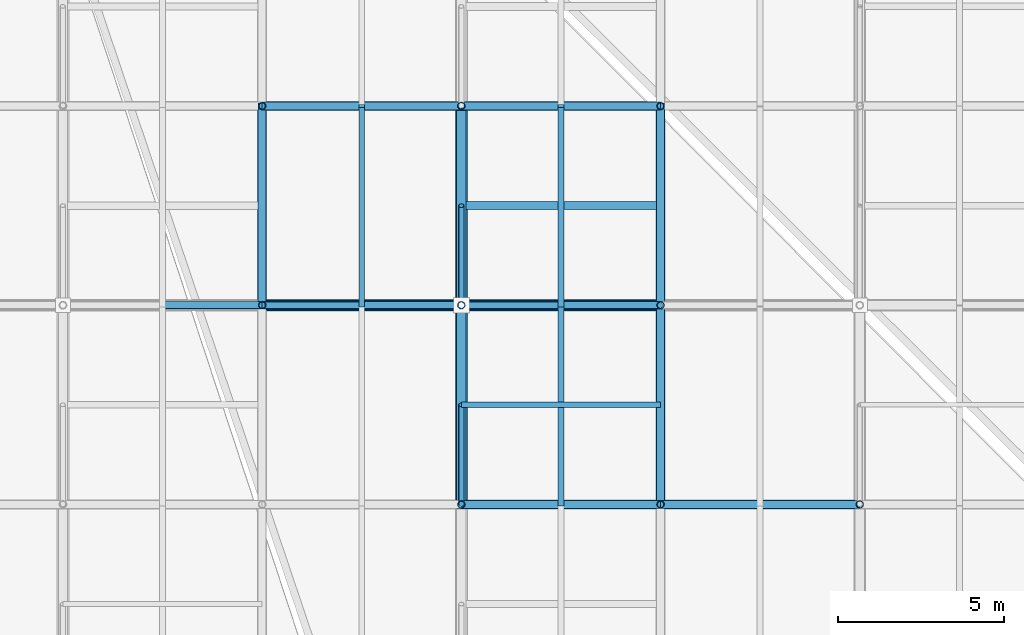
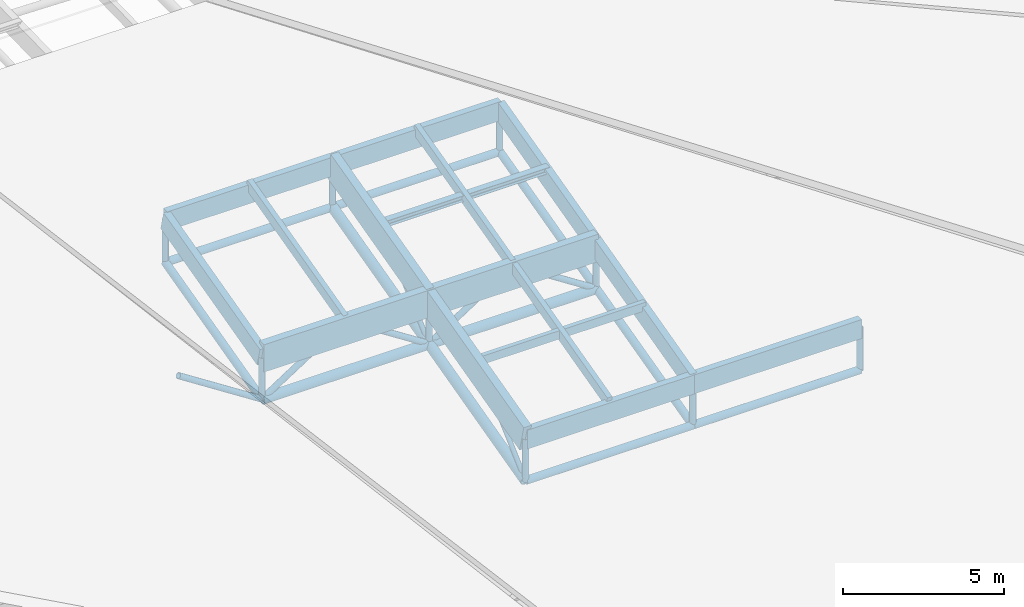
# One storey, part 28 of 80: 43 members.
"""IFC4 building model written with IfcOpenShell, lengths in metres."""

from ifc_helpers import new_model, si_unit, direction, frame, origin, origin_2d, place, context, subcontext, project, spatial, rectangle, hollow_circle, i_section, extrude, material, material_profile, profile_set, type_object, element, save


model = new_model("IFC4")

# Units and contexts
model_context = context("Model", 3, precision=1e-05, world=origin(), true_north=direction((0.0, 1.0)))
body_context = subcontext(model_context, "Body", "Model", "MODEL_VIEW")
ifc_project = project(units=[si_unit("LENGTHUNIT", "METRE"), si_unit("AREAUNIT", "SQUARE_METRE"), si_unit("VOLUMEUNIT", "CUBIC_METRE"), si_unit("PLANEANGLEUNIT", "RADIAN"), si_unit("MASSUNIT", "GRAM", prefix="KILO"), si_unit("THERMODYNAMICTEMPERATUREUNIT", "KELVIN"), si_unit("POWERUNIT", "WATT")], contexts=[model_context])

# Site, building, storey
site_placement = place(None, origin())
site = spatial("IfcSite", under=ifc_project, at=site_placement, CompositionType="ELEMENT")
building_placement = place(site_placement, origin())
building = spatial("IfcBuilding", under=site, at=building_placement, Name="Solmara Park Aquatics Centre", CompositionType="ELEMENT")
storey_placement = place(building_placement, frame((0.0, 0.0, 22.800048828125)))
storey = spatial("IfcBuildingStorey", under=building, at=storey_placement, Name="RF", CompositionType="ELEMENT", Elevation=22.800048828125)

# Members
ifc_material_1 = material(Name="Structural Steel S355", Category="steel")
ifc_material_profile_1 = material_profile(ifc_material_1, hollow_circle(Radius=0.084228515625, WallThickness=0.008056640625, at=origin_2d()), Name="CHS 168.3x8")
ifc_profile_set_1 = profile_set([ifc_material_profile_1], Name="Structural Steel S355")
member_type_1 = type_object("IfcMemberType", Name="STR-BRC-CHS168", PredefinedType="BRACE", material=ifc_profile_set_1)
for number, where, z_axis, x_axis, name in (
    (1, (72.60009765625, 18.60009765625, -9.58984375), (0.0, 0.736437262703, 0.67650584484), (-1.0, 0.0, 0.0), "Roof Truss Web Diagonal Y 1921"),
    (2, (72.60009765625, 24.60009765625, -8.0380859375), (0.0, 0.736437262703, 0.67650584484), (-1.0, 0.0, 0.0), "Roof Truss Web Diagonal Y 1945"),
):
    element("IfcMember", number, at=place(storey_placement, frame(where, z_axis=z_axis, x_axis=x_axis)), inside=storey, type_object=member_type_1, Name=name, PredefinedType="BRACE", context=body_context, shape_type="SweptSolid", body=[
        extrude(hollow_circle(Radius=0.084228515625, WallThickness=0.008056640625, at=origin_2d()), origin(), (0.0, 0.0, 1.0), 4.07373046875),
    ])
ifc_material_profile_2 = material_profile(ifc_material_1, hollow_circle(Radius=0.109619140625, WallThickness=0.010009765625, at=origin_2d()), Name="CHS 219.1x10")
ifc_profile_set_2 = profile_set([ifc_material_profile_2], Name="Structural Steel S355")
member_type_2 = type_object("IfcMemberType", Name="STR-BRC-CHS219", PredefinedType="BRACE", material=ifc_profile_set_2)
for number, where, z_axis, x_axis, name in (
    (3, (66.60009765625, 24.60009765625, -8.0380859375), (-0.83972779743, 0.0, 0.543007574738), (0.0, -1.0, 0.0), "Roof Truss Web Diagonal X 1642"),
    (4, (66.60009765625, 24.60009765625, -8.0380859375), (0.83972779743, 0.0, 0.543007574738), (0.0, 1.0, 0.0), "Roof Truss Web Diagonal X 1671"),
    (5, (72.60009765625, 24.60009765625, -8.0380859375), (-0.83972779743, 0.0, 0.543007574738), (0.0, -1.0, 0.0), "Roof Truss Web Diagonal X 1672"),
    (6, (72.60009765625, 24.60009765625, -8.0380859375), (0.83972779743, 0.0, 0.543007574738), (0.0, 1.0, 0.0), "Roof Truss Web Diagonal X 1701"),
    (7, (78.60009765625, 24.60009765625, -8.0380859375), (-0.83972779743, 0.0, 0.543007574738), (0.0, -1.0, 0.0), "Roof Truss Web Diagonal X 1702"),
):
    element("IfcMember", number, at=place(storey_placement, frame(where, z_axis=z_axis, x_axis=x_axis)), inside=storey, type_object=member_type_2, Name=name, PredefinedType="BRACE", context=body_context, shape_type="SweptSolid", body=[
        extrude(hollow_circle(Radius=0.109619140625, WallThickness=0.010009765625, at=origin_2d()), origin(), (0.0, 0.0, 1.0), 3.572509765625),
    ])
ifc_material_profile_3 = material_profile(ifc_material_1, hollow_circle(Radius=0.136474609375, WallThickness=0.012451171875, at=origin_2d()), Name="CHS 273x12.5")
ifc_profile_set_3 = profile_set([ifc_material_profile_3], Name="Structural Steel S355")
member_type_3 = type_object("IfcMemberType", Name="STR-CHD-CHS273", PredefinedType="CHORD", material=ifc_profile_set_3)
for number, where, z_axis, x_axis, name in (
    (8, (72.60009765625, 18.60009765625, -9.58984375), (1.0, 0.0, 0.0), (0.0, 1.0, 0.0), "Steel Roof Truss Bottom Chord X 0134"),
    (9, (78.60009765625, 18.60009765625, -9.58984375), (1.0, 0.0, 0.0), (0.0, 1.0, 0.0), "Steel Roof Truss Bottom Chord X 0136"),
    (10, (66.60009765625, 30.60009765625, -6.486328125), (1.0, 0.0, 0.0), (0.0, 1.0, 0.0), "Steel Roof Truss Bottom Chord X 0204"),
    (11, (72.60009765625, 30.60009765625, -6.486328125), (1.0, 0.0, 0.0), (0.0, 1.0, 0.0), "Steel Roof Truss Bottom Chord X 0206"),
):
    element("IfcMember", number, at=place(storey_placement, frame(where, z_axis=z_axis, x_axis=x_axis)), inside=storey, type_object=member_type_3, Name=name, PredefinedType="CHORD", context=body_context, shape_type="SweptSolid", body=[
        extrude(hollow_circle(Radius=0.136474609375, WallThickness=0.012451171875, at=origin_2d()), origin(), (0.0, 0.0, 1.0), 6.0),
    ])
for number, where, z_axis, x_axis, name in (
    (12, (66.60009765625, 24.60009765625, -8.0380859375), (0.0, 0.968145594442, 0.250387914969), (-1.0, 0.0, 0.0), "Steel Roof Truss Bottom Chord Y 0858"),
    (13, (78.60009765625, 18.60009765625, -9.58984375), (0.0, 0.968145594442, 0.250387914969), (-1.0, 0.0, 0.0), "Steel Roof Truss Bottom Chord Y 0912"),
    (14, (78.60009765625, 24.60009765625, -8.0380859375), (0.0, 0.968145594442, 0.250387914969), (-1.0, 0.0, 0.0), "Steel Roof Truss Bottom Chord Y 0914"),
):
    element("IfcMember", number, at=place(storey_placement, frame(where, z_axis=z_axis, x_axis=x_axis)), inside=storey, type_object=member_type_3, Name=name, PredefinedType="CHORD", context=body_context, shape_type="SweptSolid", body=[
        extrude(hollow_circle(Radius=0.136474609375, WallThickness=0.012451171875, at=origin_2d()), origin(), (0.0, 0.0, 1.0), 6.197509765625),
    ])
ifc_material_profile_4 = material_profile(ifc_material_1, hollow_circle(Radius=0.177734375, WallThickness=0.01611328125, at=origin_2d()), Name="CHS 355.6x16")
ifc_profile_set_4 = profile_set([ifc_material_profile_4], Name="Structural Steel S355")
member_type_4 = type_object("IfcMemberType", Name="STR-CHD-CHS355", PredefinedType="CHORD", material=ifc_profile_set_4)
for number, where, z_axis, x_axis, name in (
    (15, (66.60009765625, 24.60009765625, -8.0380859375), (1.0, 0.0, 0.0), (0.0, 1.0, 0.0), "Steel Roof Truss Bottom Chord X 0168"),
    (16, (72.60009765625, 24.60009765625, -8.0380859375), (1.0, 0.0, 0.0), (0.0, 1.0, 0.0), "Steel Roof Truss Bottom Chord X 0170"),
):
    element("IfcMember", number, at=place(storey_placement, frame(where, z_axis=z_axis, x_axis=x_axis)), inside=storey, type_object=member_type_4, Name=name, PredefinedType="CHORD", context=body_context, shape_type="SweptSolid", body=[
        extrude(hollow_circle(Radius=0.177734375, WallThickness=0.01611328125, at=origin_2d()), origin(), (0.0, 0.0, 1.0), 6.0),
    ])
for number, where, z_axis, x_axis, name in (
    (17, (72.60009765625, 18.60009765625, -9.58984375), (0.0, 0.968145594442, 0.250387914969), (-1.0, 0.0, 0.0), "Steel Roof Truss Bottom Chord Y 0884"),
    (18, (72.60009765625, 24.60009765625, -8.0380859375), (0.0, 0.968145594442, 0.250387914969), (-1.0, 0.0, 0.0), "Steel Roof Truss Bottom Chord Y 0886"),
):
    element("IfcMember", number, at=place(storey_placement, frame(where, z_axis=z_axis, x_axis=x_axis)), inside=storey, type_object=member_type_4, Name=name, PredefinedType="CHORD", context=body_context, shape_type="SweptSolid", body=[
        extrude(hollow_circle(Radius=0.177734375, WallThickness=0.01611328125, at=origin_2d()), origin(), (0.0, 0.0, 1.0), 6.197509765625),
    ])
ifc_material_2 = material(Name="Glulam Timber GL28h", Category="wood")
ifc_material_profile_5 = material_profile(ifc_material_2, rectangle(XDim=0.239990234375, YDim=0.719970703125, at=origin_2d()), Name="GL28h 240x720")
ifc_profile_set_5 = profile_set([ifc_material_profile_5], Name="Glulam Timber GL28h")
member_type_5 = type_object("IfcMemberType", Name="STR-CHD-GL240x720", PredefinedType="CHORD", material=ifc_profile_set_5)
for number, where, z_axis, x_axis, name in (
    (19, (72.60009765625, 18.60009765625, -7.9697265625), (1.0, 0.0, 0.0), (0.0, 1.0, 0.0), "Glulam Roof Truss Top Chord X 0133"),
    (20, (78.60009765625, 18.60009765625, -7.9697265625), (1.0, 0.0, 0.0), (0.0, 1.0, 0.0), "Glulam Roof Truss Top Chord X 0135"),
    (21, (66.60009765625, 30.60009765625, -4.866455078125), (1.0, 0.0, 0.0), (0.0, 1.0, 0.0), "Glulam Roof Truss Top Chord X 0203"),
    (22, (72.60009765625, 30.60009765625, -4.866455078125), (1.0, 0.0, 0.0), (0.0, 1.0, 0.0), "Glulam Roof Truss Top Chord X 0205"),
):
    element("IfcMember", number, at=place(storey_placement, frame(where, z_axis=z_axis, x_axis=x_axis)), inside=storey, type_object=member_type_5, Name=name, PredefinedType="CHORD", context=body_context, shape_type="SweptSolid", body=[
        extrude(rectangle(XDim=0.239990234375, YDim=0.719970703125, at=origin_2d()), origin(), (0.0, 0.0, 1.0), 6.0),
    ])
member_1_placement = place(storey_placement, frame((66.60009765625, 24.60009765625, -6.41796875), z_axis=(0.0, 0.968155143395, 0.250350990246), x_axis=(-1.0, 0.0, 0.0)))
element("IfcMember", 23, at=member_1_placement, inside=storey, type_object=member_type_5, Name="Glulam Roof Truss Top Chord Y 0857", PredefinedType="CHORD", context=body_context, shape_type="SweptSolid", body=[
    extrude(rectangle(XDim=0.239990234375, YDim=0.719970703125, at=origin_2d()), origin(), (0.0, 0.0, 1.0), 6.197265625),
])
member_2_placement = place(storey_placement, frame((78.60009765625, 18.60009765625, -7.9697265625), z_axis=(0.0, 0.968145594442, 0.250387914969), x_axis=(-1.0, 0.0, 0.0)))
element("IfcMember", 24, at=member_2_placement, inside=storey, type_object=member_type_5, Name="Glulam Roof Truss Top Chord Y 0911", PredefinedType="CHORD", context=body_context, shape_type="SweptSolid", body=[
    extrude(rectangle(XDim=0.239990234375, YDim=0.719970703125, at=origin_2d()), origin(), (0.0, 0.0, 1.0), 6.197509765625),
])
member_3_placement = place(storey_placement, frame((78.60009765625, 24.60009765625, -6.41796875), z_axis=(0.0, 0.968155143395, 0.250350990246), x_axis=(-1.0, 0.0, 0.0)))
element("IfcMember", 25, at=member_3_placement, inside=storey, type_object=member_type_5, Name="Glulam Roof Truss Top Chord Y 0913", PredefinedType="CHORD", context=body_context, shape_type="SweptSolid", body=[
    extrude(rectangle(XDim=0.239990234375, YDim=0.719970703125, at=origin_2d()), origin(), (0.0, 0.0, 1.0), 6.197265625),
])
ifc_material_profile_6 = material_profile(ifc_material_2, rectangle(XDim=0.280029296875, YDim=1.0400390625, at=origin_2d()), Name="GL28h 280x1040")
ifc_profile_set_6 = profile_set([ifc_material_profile_6], Name="Glulam Timber GL28h")
member_type_6 = type_object("IfcMemberType", Name="STR-CHD-GL280x1040", PredefinedType="CHORD", material=ifc_profile_set_6)
for number, where, z_axis, x_axis, name in (
    (26, (66.60009765625, 24.60009765625, -6.41796875), (1.0, 0.0, 0.0), (0.0, 1.0, 0.0), "Glulam Roof Truss Top Chord X 0167"),
    (27, (72.60009765625, 24.60009765625, -6.41796875), (1.0, 0.0, 0.0), (0.0, 1.0, 0.0), "Glulam Roof Truss Top Chord X 0169"),
):
    element("IfcMember", number, at=place(storey_placement, frame(where, z_axis=z_axis, x_axis=x_axis)), inside=storey, type_object=member_type_6, Name=name, PredefinedType="CHORD", context=body_context, shape_type="SweptSolid", body=[
        extrude(rectangle(XDim=0.280029296875, YDim=1.0400390625, at=origin_2d()), origin(), (0.0, 0.0, 1.0), 6.0),
    ])
member_4_placement = place(storey_placement, frame((72.60009765625, 18.60009765625, -7.9697265625), z_axis=(0.0, 0.968145594442, 0.250387914969), x_axis=(-1.0, 0.0, 0.0)))
element("IfcMember", 28, at=member_4_placement, inside=storey, type_object=member_type_6, Name="Glulam Roof Truss Top Chord Y 0883", PredefinedType="CHORD", context=body_context, shape_type="SweptSolid", body=[
    extrude(rectangle(XDim=0.280029296875, YDim=1.0400390625, at=origin_2d()), origin(), (0.0, 0.0, 1.0), 6.197509765625),
])
member_5_placement = place(storey_placement, frame((72.60009765625, 24.60009765625, -6.41796875), z_axis=(0.0, 0.968155143395, 0.250350990246), x_axis=(-1.0, 0.0, 0.0)))
element("IfcMember", 29, at=member_5_placement, inside=storey, type_object=member_type_6, Name="Glulam Roof Truss Top Chord Y 0885", PredefinedType="CHORD", context=body_context, shape_type="SweptSolid", body=[
    extrude(rectangle(XDim=0.280029296875, YDim=1.0400390625, at=origin_2d()), origin(), (0.0, 0.0, 1.0), 6.197265625),
])
ifc_material_profile_7 = material_profile(ifc_material_2, rectangle(XDim=0.159912109375, YDim=0.320068359375, at=origin_2d()), Name="GL28h 160x320")
ifc_profile_set_7 = profile_set([ifc_material_profile_7], Name="Glulam Timber GL28h")
member_type_7 = type_object("IfcMemberType", Name="STR-PRL-GL160x320", PredefinedType="PURLIN", material=ifc_profile_set_7)
member_6_placement = place(storey_placement, frame((72.60009765625, 21.60009765625, -6.85400390625), z_axis=(1.0, 0.0, 0.0), x_axis=(0.0, 1.0, 0.0)))
element("IfcMember", 30, at=member_6_placement, inside=storey, type_object=member_type_7, Name="Glulam Secondary Roof Purlin 1910", PredefinedType="PURLIN", context=body_context, shape_type="SweptSolid", body=[
    extrude(rectangle(XDim=0.159912109375, YDim=0.320068359375, at=origin_2d()), origin(), (0.0, 0.0, 1.0), 6.0),
])
ifc_material_profile_8 = material_profile(ifc_material_2, rectangle(XDim=0.179931640625, YDim=0.39990234375, at=origin_2d()), Name="GL28h 180x400")
ifc_profile_set_8 = profile_set([ifc_material_profile_8], Name="Glulam Timber GL28h")
member_type_8 = type_object("IfcMemberType", Name="STR-PRL-GL180x400", PredefinedType="PURLIN", material=ifc_profile_set_8)
member_7_placement = place(storey_placement, frame((69.60009765625, 24.60009765625, -6.09814453125), z_axis=(0.0, 0.968145594442, 0.250387914969), x_axis=(-1.0, 0.0, 0.0)))
element("IfcMember", 31, at=member_7_placement, inside=storey, type_object=member_type_8, Name="Glulam Roof Purlin 1657", PredefinedType="PURLIN", context=body_context, shape_type="SweptSolid", body=[
    extrude(rectangle(XDim=0.179931640625, YDim=0.39990234375, at=origin_2d()), origin(), (0.0, 0.0, 1.0), 6.197509765625),
])
member_8_placement = place(storey_placement, frame((75.60009765625, 18.60009765625, -7.649658203125), z_axis=(0.0, 0.968155143395, 0.250350990246), x_axis=(-1.0, 0.0, 0.0)))
element("IfcMember", 32, at=member_8_placement, inside=storey, type_object=member_type_8, Name="Glulam Roof Purlin 1686", PredefinedType="PURLIN", context=body_context, shape_type="SweptSolid", body=[
    extrude(rectangle(XDim=0.179931640625, YDim=0.39990234375, at=origin_2d()), origin(), (0.0, 0.0, 1.0), 6.197265625),
])
member_9_placement = place(storey_placement, frame((75.60009765625, 24.60009765625, -6.09814453125), z_axis=(0.0, 0.968145594442, 0.250387914969), x_axis=(-1.0, 0.0, 0.0)))
element("IfcMember", 33, at=member_9_placement, inside=storey, type_object=member_type_8, Name="Glulam Roof Purlin 1687", PredefinedType="PURLIN", context=body_context, shape_type="SweptSolid", body=[
    extrude(rectangle(XDim=0.179931640625, YDim=0.39990234375, at=origin_2d()), origin(), (0.0, 0.0, 1.0), 6.197509765625),
])
ifc_material_profile_9 = material_profile(ifc_material_1, i_section(OverallWidth=0.239990234375, OverallDepth=0.22998046875, WebThickness=0.007568359375, FlangeThickness=0.011962890625, FilletRadius=0.02099609375, at=origin_2d()), Name="HEA 240")
ifc_profile_set_9 = profile_set([ifc_material_profile_9], Name="Structural Steel S355")
member_type_9 = type_object("IfcMemberType", Name="STR-PRL-HEA240", PredefinedType="PURLIN", material=ifc_profile_set_9)
member_10_placement = place(storey_placement, frame((72.60009765625, 27.60009765625, -5.30224609375), z_axis=(1.0, 0.0, 0.0), x_axis=(0.0, 1.0, 0.0)))
element("IfcMember", 34, at=member_10_placement, inside=storey, type_object=member_type_9, Name="Glulam Secondary Roof Purlin 1933", PredefinedType="PURLIN", context=body_context, shape_type="SweptSolid", body=[
    extrude(i_section(OverallWidth=0.239990234375, OverallDepth=0.22998046875, WebThickness=0.007568359375, FlangeThickness=0.011962890625, FilletRadius=0.02099609375, at=origin_2d()), origin(), (0.0, 0.0, 1.0), 6.0),
])
ifc_material_profile_10 = material_profile(ifc_material_1, hollow_circle(Radius=0.109619140625, WallThickness=0.010009765625, at=origin_2d()), Name="CHS 219.1x10")
ifc_profile_set_10 = profile_set([ifc_material_profile_10], Name="Structural Steel S355")
member_type_10 = type_object("IfcMemberType", Name="STR-PST-CHS219", PredefinedType="POST", material=ifc_profile_set_10)
member_11_placement = place(storey_placement, frame((66.60009765625, 24.60009765625, -8.0380859375), z_axis=(0.0, 0.0, 1.0), x_axis=(1.0, 0.0, 0.0)))
element("IfcMember", 35, at=member_11_placement, inside=storey, type_object=member_type_10, Name="Roof Truss Web Post 1235", PredefinedType="POST", context=body_context, shape_type="SweptSolid", body=[
    extrude(hollow_circle(Radius=0.109619140625, WallThickness=0.010009765625, at=origin_2d()), origin(), (0.0, 0.0, 1.0), 1.6201171875),
])
member_12_placement = place(storey_placement, frame((66.60009765625, 30.60009765625, -6.486328125), z_axis=(0.0, 0.0, 1.0), x_axis=(1.0, 0.0, 0.0)))
element("IfcMember", 36, at=member_12_placement, inside=storey, type_object=member_type_10, Name="Roof Truss Web Post 1236", PredefinedType="POST", context=body_context, shape_type="SweptSolid", body=[
    extrude(hollow_circle(Radius=0.109619140625, WallThickness=0.010009765625, at=origin_2d()), origin(), (0.0, 0.0, 1.0), 1.619873046875),
])
for number, where, z_axis, x_axis, name in (
    (37, (72.60009765625, 18.60009765625, -9.58984375), (0.0, 0.0, 1.0), (1.0, 0.0, 0.0), "Roof Truss Web Post 1249"),
    (38, (72.60009765625, 24.60009765625, -8.0380859375), (0.0, 0.0, 1.0), (1.0, 0.0, 0.0), "Roof Truss Web Post 1250"),
):
    element("IfcMember", number, at=place(storey_placement, frame(where, z_axis=z_axis, x_axis=x_axis)), inside=storey, type_object=member_type_10, Name=name, PredefinedType="POST", context=body_context, shape_type="SweptSolid", body=[
        extrude(hollow_circle(Radius=0.109619140625, WallThickness=0.010009765625, at=origin_2d()), origin(), (0.0, 0.0, 1.0), 1.6201171875),
    ])
member_13_placement = place(storey_placement, frame((72.60009765625, 30.60009765625, -6.486328125), z_axis=(0.0, 0.0, 1.0), x_axis=(1.0, 0.0, 0.0)))
element("IfcMember", 39, at=member_13_placement, inside=storey, type_object=member_type_10, Name="Roof Truss Web Post 1251", PredefinedType="POST", context=body_context, shape_type="SweptSolid", body=[
    extrude(hollow_circle(Radius=0.109619140625, WallThickness=0.010009765625, at=origin_2d()), origin(), (0.0, 0.0, 1.0), 1.619873046875),
])
for number, where, z_axis, x_axis, name in (
    (40, (78.60009765625, 18.60009765625, -9.58984375), (0.0, 0.0, 1.0), (1.0, 0.0, 0.0), "Roof Truss Web Post 1264"),
    (41, (78.60009765625, 24.60009765625, -8.0380859375), (0.0, 0.0, 1.0), (1.0, 0.0, 0.0), "Roof Truss Web Post 1265"),
):
    element("IfcMember", number, at=place(storey_placement, frame(where, z_axis=z_axis, x_axis=x_axis)), inside=storey, type_object=member_type_10, Name=name, PredefinedType="POST", context=body_context, shape_type="SweptSolid", body=[
        extrude(hollow_circle(Radius=0.109619140625, WallThickness=0.010009765625, at=origin_2d()), origin(), (0.0, 0.0, 1.0), 1.6201171875),
    ])
member_14_placement = place(storey_placement, frame((78.60009765625, 30.60009765625, -6.486328125), z_axis=(0.0, 0.0, 1.0), x_axis=(1.0, 0.0, 0.0)))
element("IfcMember", 42, at=member_14_placement, inside=storey, type_object=member_type_10, Name="Roof Truss Web Post 1266", PredefinedType="POST", context=body_context, shape_type="SweptSolid", body=[
    extrude(hollow_circle(Radius=0.109619140625, WallThickness=0.010009765625, at=origin_2d()), origin(), (0.0, 0.0, 1.0), 1.619873046875),
])
member_15_placement = place(storey_placement, frame((84.60009765625, 18.60009765625, -9.58984375), z_axis=(0.0, 0.0, 1.0), x_axis=(1.0, 0.0, 0.0)))
element("IfcMember", 43, at=member_15_placement, inside=storey, type_object=member_type_10, Name="Roof Truss Web Post 1279", PredefinedType="POST", context=body_context, shape_type="SweptSolid", body=[
    extrude(hollow_circle(Radius=0.109619140625, WallThickness=0.010009765625, at=origin_2d()), origin(), (0.0, 0.0, 1.0), 1.6201171875),
])

save(model, "model.ifc")
